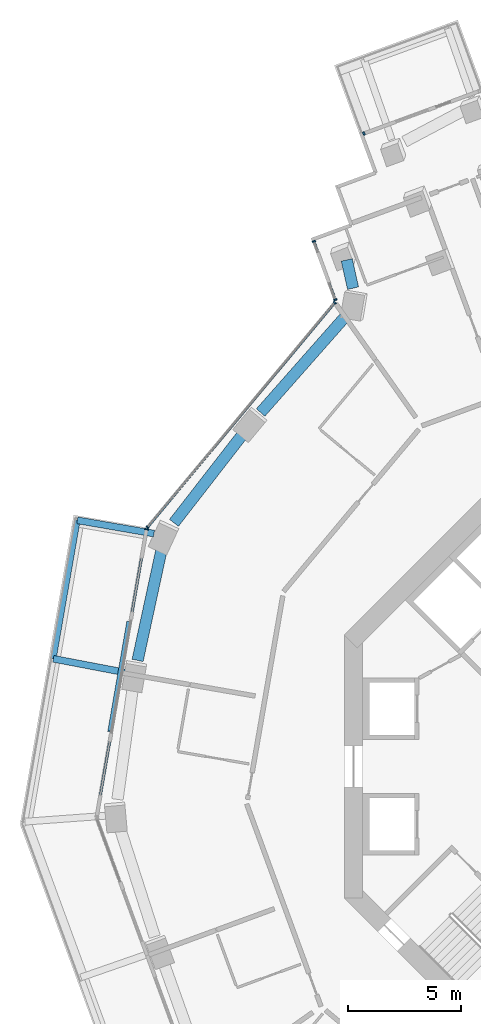
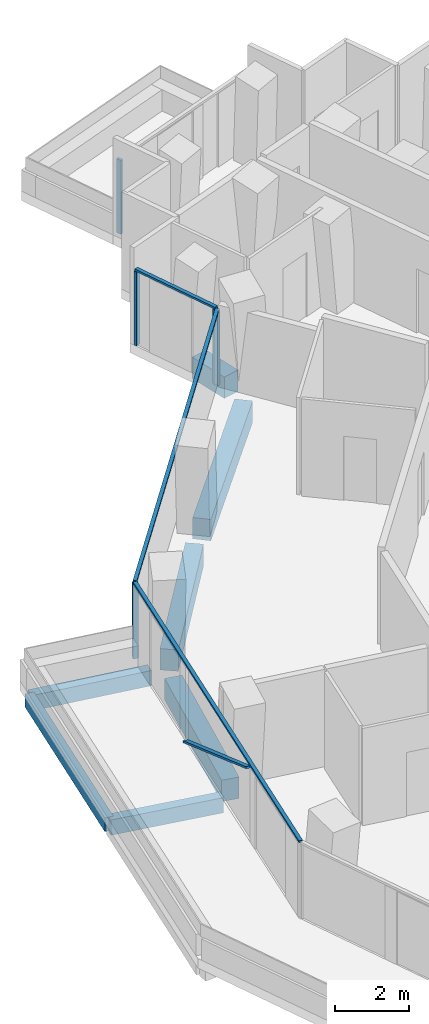
# One storey, part 7 of 24: 10 members, 7 beams, 4 elements without a shape of their own.
"""IFC4 building model written with IfcOpenShell, lengths in metres."""

from ifc_helpers import new_model, si_unit, direction, frame, origin, origin_2d, place, context, subcontext, project, spatial, rectangle, extrude, material, layer, layer_set, material_profile, profile_set, type_object, element, aggregate, save


model = new_model("IFC4")

# Units and contexts
model_context = context("Model", 3, precision=1e-05, world=origin(), true_north=direction((0.0, 1.0)))
body_context = subcontext(model_context, "Body", "Model", "MODEL_VIEW")
ifc_project = project(units=[si_unit("LENGTHUNIT", "METRE"), si_unit("AREAUNIT", "SQUARE_METRE"), si_unit("VOLUMEUNIT", "CUBIC_METRE"), si_unit("PLANEANGLEUNIT", "RADIAN"), si_unit("MASSUNIT", "GRAM", prefix="KILO")], contexts=[model_context])

# Site, building, storey
site_placement = place(None, origin())
site = spatial("IfcSite", under=ifc_project, at=site_placement, CompositionType="ELEMENT")
building_placement = place(site_placement, origin())
building = spatial("IfcBuilding", under=site, at=building_placement, Name="Verdalira Terraces Hotel", CompositionType="ELEMENT")
storey_placement = place(building_placement, frame((0.0, 0.0, 115.0)))
storey = spatial("IfcBuildingStorey", under=building, at=storey_placement, Name="L27", CompositionType="ELEMENT", Elevation=115.0)

# Beams
ifc_material_1 = material(Name="Concrete C40", Category="concrete")
ifc_material_profile_1 = material_profile(ifc_material_1, rectangle(XDim=0.300049, YDim=0.5, at=origin_2d()), Name="RC 300X500")
ifc_profile_set_1 = profile_set([ifc_material_profile_1], Name="Concrete C40")
beam_type_1 = type_object("IfcBeamType", Name="Balcony cantilever beam RC 300X500 C40", PredefinedType="BEAM", material=ifc_profile_set_1)
beam_1_placement = place(storey_placement, frame((-22.400391, 10.275391, -0.560059), z_axis=(-0.985287899, 0.170902768, 0.0), x_axis=(-0.170902768, -0.985287899, 0.0)))
element("IfcBeam", 1, at=beam_1_placement, inside=storey, type_object=beam_type_1, Name="Balcony cantilever beam R12-3", PredefinedType="BEAM", context=body_context, shape_type="SweptSolid", body=[
    extrude(rectangle(XDim=0.300049, YDim=0.5, at=origin_2d()), origin(), (0.0, 0.0, 1.0), 3.431396),
])
beam_2_placement = place(storey_placement, frame((-23.696777, 4.15332, -0.560059), z_axis=(-0.982281773, 0.187410026, 0.0), x_axis=(-0.187410026, -0.982281773, 0.0)))
element("IfcBeam", 2, at=beam_2_placement, inside=storey, type_object=beam_type_1, Name="Balcony cantilever beam R12-4", PredefinedType="BEAM", context=body_context, shape_type="SweptSolid", body=[
    extrude(rectangle(XDim=0.300049, YDim=0.5, at=origin_2d()), origin(), (0.0, 0.0, 1.0), 3.200684),
])
ifc_material_2 = material(Name="Concrete C40", Category="concrete")
ifc_material_profile_2 = material_profile(ifc_material_2, rectangle(XDim=0.25, YDim=0.449951, at=origin_2d()), Name="RC 250X450")
ifc_profile_set_2 = profile_set([ifc_material_profile_2], Name="Concrete C40")
beam_type_2 = type_object("IfcBeamType", Name="Balcony edge beam RC 250X450 C40", PredefinedType="BEAM", material=ifc_profile_set_2)
beam_3_placement = place(storey_placement, frame((-25.78125, 10.861816, -0.534912), z_axis=(-0.170902431, -0.985287957, 0.0), x_axis=(0.985287957, -0.170902431, 0.0)))
element("IfcBeam", 3, at=beam_3_placement, inside=storey, type_object=beam_type_2, Name="Balcony edge beam R12-2", PredefinedType="BEAM", context=body_context, shape_type="SweptSolid", body=[
    extrude(rectangle(XDim=0.25, YDim=0.449951, at=origin_2d()), origin(), (0.0, 0.0, 1.0), 6.199951),
])

# Curtain wall, members
ifc_material_3 = material(Name="Clear glass", Category="glass")
ifc_layer_1 = layer(ifc_material_3, 0.14990234375)
ifc_layer_set_1 = layer_set([ifc_layer_1], Name="CW1 curtain wall")
curtain_wall_type_1 = type_object("IfcCurtainWallType", Name="CW1 curtain wall", PredefinedType="NOTDEFINED", material=ifc_layer_set_1)
curtain_wall_1_placement = place(storey_placement, origin())
curtain_wall_1 = element("IfcCurtainWall", 4, at=curtain_wall_1_placement, inside=storey, type_object=curtain_wall_type_1, Name="CW1 curtain wall L27 edge 11", PredefinedType="NOTDEFINED")
ifc_material_4 = material(Name="Terracotta frame", Category="masonry")
ifc_material_profile_3 = material_profile(ifc_material_4, rectangle(XDim=0.060059, YDim=0.149902, at=origin_2d()), Name="MU 60x150")
ifc_profile_set_3 = profile_set([ifc_material_profile_3], Name="Terracotta frame")
member_type_1 = type_object("IfcMemberType", Name="CW1 mullion 60x150", PredefinedType="MULLION", material=ifc_profile_set_3)
member_1_placement = place(storey_placement, frame((-14.423828, 20.460938, 0.0), z_axis=(0.0, 0.0, 1.0), x_axis=(-0.640645907, -0.767836456, 0.0)))
member_1 = element("IfcMember", 5, at=member_1_placement, type_object=member_type_1, Name="CW1 mullion", PredefinedType="MULLION", context=body_context, shape_type="SweptSolid", body=[
    extrude(rectangle(XDim=0.060059, YDim=0.149902, at=origin_2d()), origin(), (0.0, 0.0, 1.0), 2.425049),
])
member_2_placement = place(storey_placement, frame((-22.687988, 10.555908, 0.0), z_axis=(0.0, 0.0, 1.0), x_axis=(-0.640645907, -0.767836456, 0.0)))
member_2 = element("IfcMember", 6, at=member_2_placement, type_object=member_type_1, Name="CW1 mullion", PredefinedType="MULLION", context=body_context, shape_type="SweptSolid", body=[
    extrude(rectangle(XDim=0.060059, YDim=0.149902, at=origin_2d()), origin(), (0.0, 0.0, 1.0), 2.425049),
])

# Curtain wall, member
curtain_wall_2_placement = place(storey_placement, origin())
curtain_wall_2 = element("IfcCurtainWall", 7, at=curtain_wall_2_placement, inside=storey, type_object=curtain_wall_type_1, Name="CW1 curtain wall L27 edge 12", PredefinedType="NOTDEFINED")
member_3_placement = place(storey_placement, frame((-22.72876, 10.468018, 0.0), z_axis=(0.0, 0.0, 1.0), x_axis=(-0.170897402, -0.98528883, 0.0)))
member_3 = element("IfcMember", 8, at=member_3_placement, type_object=member_type_1, Name="CW1 mullion", PredefinedType="MULLION", context=body_context, shape_type="SweptSolid", body=[
    extrude(rectangle(XDim=0.060059, YDim=0.149902, at=origin_2d()), origin(), (0.0, 0.0, 1.0), 2.425049),
])

# Member
ifc_material_5 = material(Name="Terracotta frame", Category="masonry")
ifc_material_profile_4 = material_profile(ifc_material_5, rectangle(XDim=0.110107, YDim=0.064941, at=origin_2d()), Name="TR 65x110")
ifc_profile_set_4 = profile_set([ifc_material_profile_4], Name="Terracotta frame")
member_type_2 = type_object("IfcMemberType", Name="CW1 transom 65x110", PredefinedType="USERDEFINED", material=ifc_profile_set_4)
member_4_placement = place(storey_placement, frame((-14.404541, 20.483887, 2.45752), z_axis=(-0.640653076, -0.767830473, 0.0), x_axis=(0.767830473, -0.640653076, 0.0)))
member_4 = element("IfcMember", 9, at=member_4_placement, type_object=member_type_2, Name="CW1 transom", ObjectType="TRANSOM", PredefinedType="USERDEFINED", context=body_context, shape_type="SweptSolid", body=[
    extrude(rectangle(XDim=0.110107, YDim=0.064941, at=origin_2d()), origin(), (0.0, 0.0, 1.0), 12.959717),
])

aggregate(curtain_wall_1, [member_1, member_2, member_4])

member_5_placement = place(storey_placement, frame((-22.723633, 10.497559, 2.45752), z_axis=(-0.170904135, -0.985287662, 0.0), x_axis=(0.985287662, -0.170904135, 0.0)))
member_5 = element("IfcMember", 10, at=member_5_placement, type_object=member_type_2, Name="CW1 transom", ObjectType="TRANSOM", PredefinedType="USERDEFINED", context=body_context, shape_type="SweptSolid", body=[
    extrude(rectangle(XDim=0.110107, YDim=0.064941, at=origin_2d()), origin(), (0.0, 0.0, 1.0), 12.919678),
])

# Curtain wall, members
ifc_material_6 = material(Name="Clear glass", Category="glass")
ifc_layer_2 = layer(ifc_material_6, 0.14990234375)
ifc_layer_set_2 = layer_set([ifc_layer_2], Name="CW2 curtain wall")
curtain_wall_type_2 = type_object("IfcCurtainWallType", Name="CW2 curtain wall", PredefinedType="NOTDEFINED", material=ifc_layer_set_2)
curtain_wall_3_placement = place(storey_placement, origin())
curtain_wall_3 = element("IfcCurtainWall", 11, at=curtain_wall_3_placement, inside=storey, type_object=curtain_wall_type_2, Name="CW2 curtain wall L27 edge 10", PredefinedType="NOTDEFINED")
ifc_material_7 = material(Name="Terracotta frame", Category="masonry")
ifc_material_profile_5 = material_profile(ifc_material_7, rectangle(XDim=0.070068, YDim=0.149902, at=origin_2d()), Name="MU 70x150")
ifc_profile_set_5 = profile_set([ifc_material_profile_5], Name="Terracotta frame")
member_type_3 = type_object("IfcMemberType", Name="CW2 mullion 70x150", PredefinedType="MULLION", material=ifc_profile_set_5)
member_6_placement = place(storey_placement, frame((-15.3479, 23.162109, 0.0), z_axis=(0.0, 0.0, 1.0), x_axis=(0.344642923, -0.938733858, 0.0)))
member_6 = element("IfcMember", 12, at=member_6_placement, type_object=member_type_3, Name="CW2 mullion", PredefinedType="MULLION", context=body_context, shape_type="SweptSolid", body=[
    extrude(rectangle(XDim=0.070068, YDim=0.149902, at=origin_2d()), origin(), (0.0, 0.0, 1.0), 2.425049),
])
member_7_placement = place(storey_placement, frame((-14.403809, 20.590576, 0.0), z_axis=(0.0, 0.0, 1.0), x_axis=(0.344642923, -0.938733858, 0.0)))
member_7 = element("IfcMember", 13, at=member_7_placement, type_object=member_type_3, Name="CW2 mullion", PredefinedType="MULLION", context=body_context, shape_type="SweptSolid", body=[
    extrude(rectangle(XDim=0.070068, YDim=0.149902, at=origin_2d()), origin(), (0.0, 0.0, 1.0), 2.425049),
])
ifc_material_8 = material(Name="Terracotta frame", Category="masonry")
ifc_material_profile_6 = material_profile(ifc_material_8, rectangle(XDim=0.11499, YDim=0.064941, at=origin_2d()), Name="TR 65x115")
ifc_profile_set_6 = profile_set([ifc_material_profile_6], Name="Terracotta frame")
member_type_4 = type_object("IfcMemberType", Name="CW2 transom 65x115", PredefinedType="USERDEFINED", material=ifc_profile_set_6)
member_8_placement = place(storey_placement, frame((-15.360107, 23.195068, 2.45752), z_axis=(0.344658066, -0.938728298, 0.0), x_axis=(0.938728298, 0.344658066, 0.0)))
member_8 = element("IfcMember", 14, at=member_8_placement, type_object=member_type_4, Name="CW2 transom", ObjectType="TRANSOM", PredefinedType="USERDEFINED", context=body_context, shape_type="SweptSolid", body=[
    extrude(rectangle(XDim=0.11499, YDim=0.064941, at=origin_2d()), origin(), (0.0, 0.0, 1.0), 2.809326),
])
aggregate(curtain_wall_3, [member_6, member_7, member_8])

# Curtain wall, member
ifc_material_9 = material(Name="Clear glass", Category="glass")
ifc_layer_3 = layer(ifc_material_9, 0.14990234375)
ifc_layer_set_3 = layer_set([ifc_layer_3], Name="CW3 curtain wall")
curtain_wall_type_3 = type_object("IfcCurtainWallType", Name="CW3 curtain wall", PredefinedType="NOTDEFINED", material=ifc_layer_set_3)
curtain_wall_4_placement = place(storey_placement, origin())
curtain_wall_4 = element("IfcCurtainWall", 15, at=curtain_wall_4_placement, inside=storey, type_object=curtain_wall_type_3, Name="CW3 curtain wall L27 edge 5", PredefinedType="NOTDEFINED")
ifc_material_10 = material(Name="Terracotta frame", Category="masonry")
ifc_material_profile_7 = material_profile(ifc_material_10, rectangle(XDim=0.080078, YDim=0.149902, at=origin_2d()), Name="MU 80x150")
ifc_profile_set_7 = profile_set([ifc_material_profile_7], Name="Terracotta frame")
member_type_5 = type_object("IfcMemberType", Name="CW3 mullion 80x150", PredefinedType="MULLION", material=ifc_profile_set_7)
member_9_placement = place(storey_placement, frame((-13.13916, 27.925293, 0.0), z_axis=(0.0, 0.0, 1.0), x_axis=(-0.938733858, -0.344642923, 0.0)))
member_9 = element("IfcMember", 16, at=member_9_placement, type_object=member_type_5, Name="CW3 mullion", PredefinedType="MULLION", context=body_context, shape_type="SweptSolid", body=[
    extrude(rectangle(XDim=0.080078, YDim=0.149902, at=origin_2d()), origin(), (0.0, 0.0, 1.0), 2.425049),
])
aggregate(curtain_wall_4, [member_9])

# Member
ifc_material_11 = material(Name="Terracotta frame", Category="masonry")
ifc_material_profile_8 = material_profile(ifc_material_11, rectangle(XDim=0.149902, YDim=0.060059, at=origin_2d()), Name="GB 60x150")
ifc_profile_set_8 = profile_set([ifc_material_profile_8], Name="Terracotta frame")
member_type_6 = type_object("IfcMemberType", Name="Diagonal glazing bar 60x150", PredefinedType="USERDEFINED", material=ifc_profile_set_8)
member_10_placement = place(storey_placement, frame((-23.526611, 6.388916, 0.027832), z_axis=(-0.153878225, -0.887241951, 0.434882987), x_axis=(0.985291268, -0.170883344, 0.0)))
member_10 = element("IfcMember", 17, at=member_10_placement, type_object=member_type_6, Name="Diagonal glazing bar", ObjectType="GLAZING BAR", PredefinedType="USERDEFINED", context=body_context, shape_type="SweptSolid", body=[
    extrude(rectangle(XDim=0.149902, YDim=0.060059, at=origin_2d()), origin(), (0.0, 0.0, 1.0), 5.448242),
])

aggregate(curtain_wall_2, [member_3, member_5, member_10])

# Beams
ifc_material_12 = material(Name="Concrete C70", Category="concrete")
ifc_material_profile_9 = material_profile(ifc_material_12, rectangle(XDim=0.5, YDim=0.699951, at=origin_2d()), Name="RC 500X700")
ifc_profile_set_9 = profile_set([ifc_material_profile_9], Name="Concrete C70")
beam_type_3 = type_object("IfcBeamType", Name="Spandrel beam RC 500X700 C70", PredefinedType="SPANDREL", material=ifc_profile_set_9)
beam_4_placement = place(storey_placement, frame((-13.897705, 22.348389, -0.659912), z_axis=(0.218265888, -0.975889339, 0.0), x_axis=(0.975889339, 0.218265888, 0.0)))
element("IfcBeam", 18, at=beam_4_placement, inside=storey, type_object=beam_type_3, Name="Spandrel beam B03S", PredefinedType="SPANDREL", context=body_context, shape_type="SweptSolid", body=[
    extrude(rectangle(XDim=0.5, YDim=0.699951, at=origin_2d()), origin(), (0.0, 0.0, 1.0), 1.277344),
])
beam_5_placement = place(storey_placement, frame((-13.943604, 19.869385, -0.659912), z_axis=(-0.661537634, -0.749911968, 0.0), x_axis=(0.749911968, -0.661537634, 0.0)))
element("IfcBeam", 19, at=beam_5_placement, inside=storey, type_object=beam_type_3, Name="Spandrel beam B04", PredefinedType="SPANDREL", context=body_context, shape_type="SweptSolid", body=[
    extrude(rectangle(XDim=0.5, YDim=0.699951, at=origin_2d()), origin(), (0.0, 0.0, 1.0), 5.671631),
])
beam_6_placement = place(storey_placement, frame((-18.445557, 14.709473, -0.659912), z_axis=(-0.613259194, -0.789881739, 0.0), x_axis=(0.789881739, -0.613259194, 0.0)))
element("IfcBeam", 20, at=beam_6_placement, inside=storey, type_object=beam_type_3, Name="Spandrel beam B05", PredefinedType="SPANDREL", context=body_context, shape_type="SweptSolid", body=[
    extrude(rectangle(XDim=0.5, YDim=0.699951, at=origin_2d()), origin(), (0.0, 0.0, 1.0), 5.012207),
])
beam_7_placement = place(storey_placement, frame((-22.0625, 9.58252, -0.659912), z_axis=(-0.21160301, -0.977355701, 0.0), x_axis=(0.977355701, -0.21160301, 0.0)))
element("IfcBeam", 21, at=beam_7_placement, inside=storey, type_object=beam_type_3, Name="Spandrel beam B06", PredefinedType="SPANDREL", context=body_context, shape_type="SweptSolid", body=[
    extrude(rectangle(XDim=0.5, YDim=0.699951, at=origin_2d()), origin(), (0.0, 0.0, 1.0), 5.015381),
])

save(model, "model.ifc")
